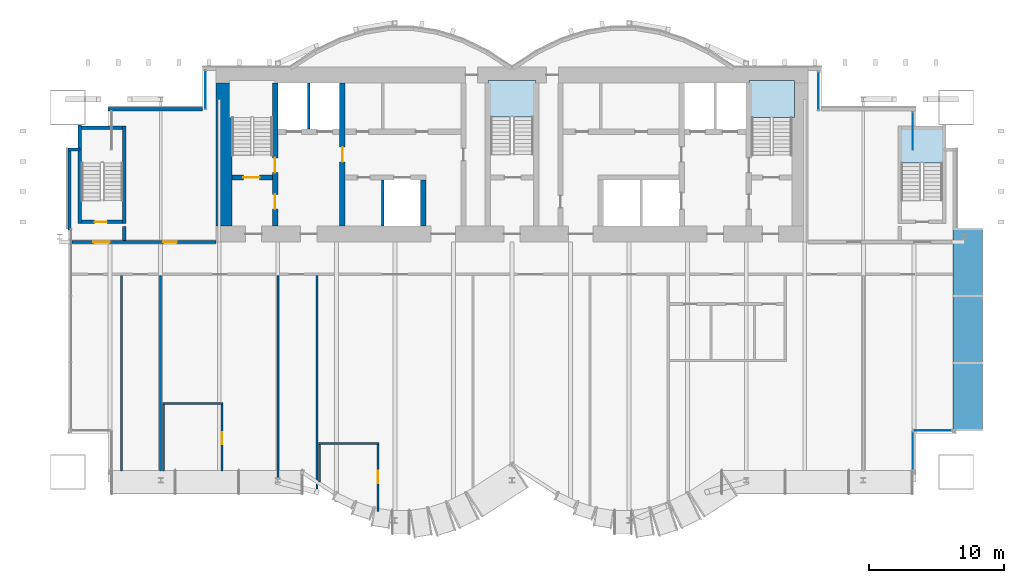
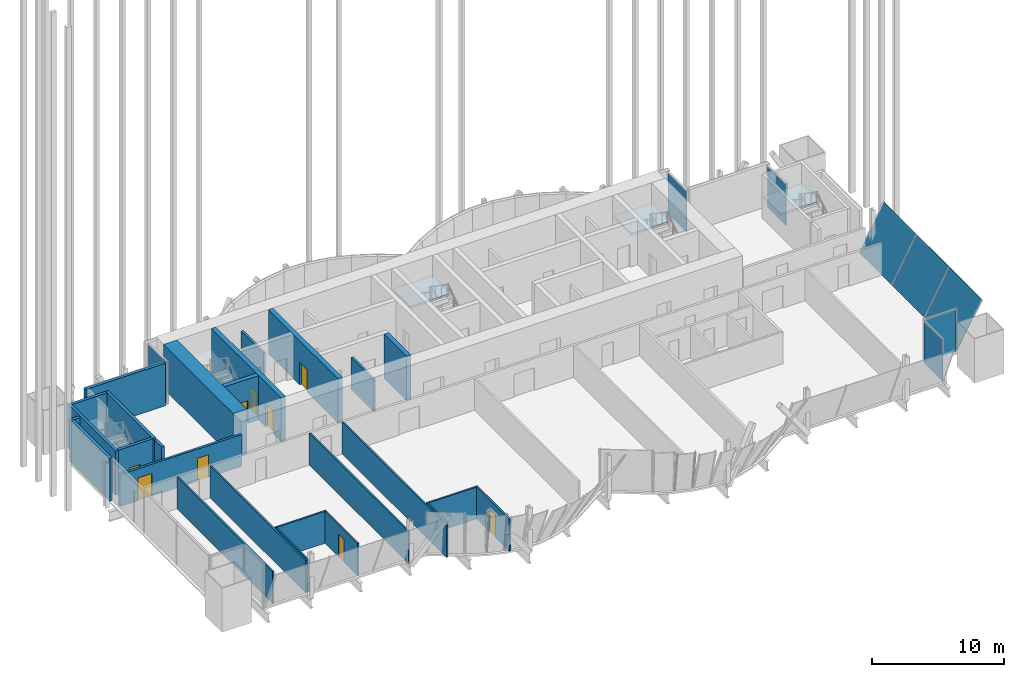
# One storey, part 23 of 29: 26 walls, 9 doors, 8 plates, 3 slabs, 9 openings, 9 elements without a shape of their own.
"""IFC4 building model written with IfcOpenShell, lengths in metres."""

import ifcopenshell
import ifcopenshell.guid

model = None  # the IFC model being written
_history = None  # IfcOwnerHistory: only IFC2X3 demands one
_inside = {}  # id of a spatial element -> (the spatial element, [elements in it])
_under = {}  # id of a project, library or spatial element -> (it, [spatial elements below it])
_declared = {}  # id of a project -> (the project, [libraries it declares])
_typed = {}  # id of a type object -> (the type object, [elements of that type])
_made_of = {}  # id of a material, layer set ... -> (it, [elements and type objects made of it])


def new_model(schema):
    """Start an empty IFC model of exactly this schema.

    Asked for "IFC4X3", IfcOpenShell would pick the latest addendum, in which some entities
    have other attributes; the version numbers below select the first issue.
    IFC2X3 requires an IfcOwnerHistory on every rooted entity: one is made here for all.
    """
    global model, _history
    if schema == "IFC4X3":
        model = ifcopenshell.file(schema_version=(4, 3, 0, 0))
    else:
        model = ifcopenshell.file(schema=schema)
    _inside.clear()
    _under.clear()
    _declared.clear()
    _typed.clear()
    _made_of.clear()
    _history = None
    if model.schema == "IFC2X3":
        org = make("IfcOrganization", Name="unknown")
        user = make(
            "IfcPersonAndOrganization",
            ThePerson=make("IfcPerson", FamilyName="unknown"),
            TheOrganization=org,
        )
        app = make(
            "IfcApplication",
            ApplicationDeveloper=org,
            Version="unknown",
            ApplicationFullName="unknown",
            ApplicationIdentifier="unknown",
        )
        _history = make(
            "IfcOwnerHistory",
            OwningUser=user,
            OwningApplication=app,
            ChangeAction="ADDED",
            CreationDate=0,
        )
    return model


def make(cls, **values):
    """One entity of the class cls with the attributes given. An attribute that is None is left unset."""
    return model.create_entity(
        cls, **{name: value for name, value in values.items() if value is not None}
    )


def rooted(cls, **values):
    """An entity with a GlobalId (a new one), such as an element, a storey or a relation."""
    return make(cls, GlobalId=ifcopenshell.guid.new(), OwnerHistory=_history, **values)


def si_unit(unit_type, name, prefix=None):
    """IfcSIUnit, for example si_unit("LENGTHUNIT", "METRE", prefix="MILLI")."""
    return make("IfcSIUnit", UnitType=unit_type, Prefix=prefix, Name=name)


def assignment(units):
    """IfcUnitAssignment: the units of a project."""
    return None if units is None else make("IfcUnitAssignment", Units=units)


def point(xyz):
    """IfcCartesianPoint."""
    return None if xyz is None else make("IfcCartesianPoint", Coordinates=xyz)


def direction(xyz):
    """IfcDirection."""
    return None if xyz is None else make("IfcDirection", DirectionRatios=xyz)


def frame(location, z_axis=None, x_axis=None):
    """IfcAxis2Placement3D, a coordinate frame: its origin and axes. An axis left out is left unset."""
    return make(
        "IfcAxis2Placement3D",
        Location=point(location),
        Axis=direction(z_axis),
        RefDirection=direction(x_axis),
    )


def frame_2d(location, x_axis=None):
    """IfcAxis2Placement2D, a coordinate frame in the plane: its origin and x axis."""
    return make(
        "IfcAxis2Placement2D", Location=point(location), RefDirection=direction(x_axis)
    )


def origin():
    """The frame at (0, 0, 0) with its axes left unset."""
    return frame((0.0, 0.0, 0.0))


def origin_2d():
    """The frame at (0, 0) in the plane with its x axis left unset."""
    return frame_2d((0.0, 0.0))


def place(relative_to, where):
    """IfcLocalPlacement: puts the frame where relative to a parent placement (None: the world)."""
    return make(
        "IfcLocalPlacement", PlacementRelTo=relative_to, RelativePlacement=where
    )


def context(
    kind, dimensions, precision=None, world=None, true_north=None, identifier=None
):
    """IfcGeometricRepresentationContext, for example the 3D "Model" context."""
    return make(
        "IfcGeometricRepresentationContext",
        ContextIdentifier=identifier,
        ContextType=kind,
        CoordinateSpaceDimension=dimensions,
        Precision=precision,
        WorldCoordinateSystem=world,
        TrueNorth=true_north,
    )


def subcontext(parent, identifier, kind, view, scale=None):
    """IfcGeometricRepresentationSubContext, for example "Body" below "Model"."""
    return make(
        "IfcGeometricRepresentationSubContext",
        ContextIdentifier=identifier,
        ContextType=kind,
        ParentContext=parent,
        TargetScale=scale,
        TargetView=view,
    )


def project(units=None, contexts=None):
    """IfcProject with its units and contexts."""
    return rooted(
        "IfcProject",
        Name="project",
        RepresentationContexts=contexts,
        UnitsInContext=assignment(units),
    )


def spatial(cls, under=None, at=None, **own):
    """A site, building, storey or space (cls), placed at a placement, below another one or the project."""
    s = rooted(cls, ObjectPlacement=at, **own)
    if under is not None:
        _under.setdefault(under.id(), (under, []))[1].append(s)
    return s


def polyline(points):
    """IfcPolyline through the points."""
    return make("IfcPolyline", Points=[point(p) for p in points])


def profile(cls, at=None, kind="AREA", **sizes):
    """A parametric profile (cls). Its sizes go by their IFC names, for example OverallWidth=200.0."""
    return make(cls, ProfileType=kind, Position=at, **sizes)


def rectangle(**sizes):
    """IfcRectangleProfileDef."""
    return profile("IfcRectangleProfileDef", **sizes)


def outline(outer, holes=None, kind="AREA"):
    """IfcArbitraryClosedProfileDef: a profile drawn as a closed curve; with holes, ...WithVoids."""
    if holes is None:
        return make("IfcArbitraryClosedProfileDef", ProfileType=kind, OuterCurve=outer)
    return make(
        "IfcArbitraryProfileDefWithVoids",
        ProfileType=kind,
        OuterCurve=outer,
        InnerCurves=holes,
    )


def extrude(swept, where, along, depth):
    """IfcExtrudedAreaSolid: the profile swept, set in the frame where, extruded along a direction by depth."""
    return make(
        "IfcExtrudedAreaSolid",
        SweptArea=swept,
        Position=where,
        ExtrudedDirection=direction(along),
        Depth=depth,
    )


def shape(context_of_items, identifier, shape_type, items):
    """IfcShapeRepresentation: the items that make up one representation, for example the "Body"."""
    return make(
        "IfcShapeRepresentation",
        ContextOfItems=context_of_items,
        RepresentationIdentifier=identifier,
        RepresentationType=shape_type,
        Items=items,
    )


def material(Name=None, Category=None):
    """IfcMaterial."""
    return make("IfcMaterial", Name=Name, Category=Category)


def layer(
    of_material, thickness, ventilated=None, Name=None, Category=None, Priority=None
):
    """IfcMaterialLayer: one layer of a wall or slab, of a material (None: an air gap)."""
    return make(
        "IfcMaterialLayer",
        Material=of_material,
        LayerThickness=thickness,
        IsVentilated=ventilated,
        Name=Name,
        Category=Category,
        Priority=Priority,
    )


def layer_set(layers, Name=None):
    """IfcMaterialLayerSet."""
    return make("IfcMaterialLayerSet", MaterialLayers=layers, LayerSetName=Name)


def layer_usage(for_layer_set, set_direction, sense, offset, extent=None):
    """IfcMaterialLayerSetUsage: how a layer set lies in its element."""
    return make(
        "IfcMaterialLayerSetUsage",
        ForLayerSet=for_layer_set,
        LayerSetDirection=set_direction,
        DirectionSense=sense,
        OffsetFromReferenceLine=offset,
        ReferenceExtent=extent,
    )


def made_of(thing, what):
    """Note that an element or type object is made of a material, layer set ...; save() writes the relation."""
    if what is not None:
        _made_of.setdefault(what.id(), (what, []))[1].append(thing)
    return thing


def type_object(cls, material=None, **own):
    """A type object (cls), such as IfcWallType, which elements share."""
    return made_of(rooted(cls, **own), material)


def element(
    cls,
    number,
    at=None,
    inside=None,
    cuts=None,
    type_object=None,
    material=None,
    context=None,
    identifier="Body",
    shape_type=None,
    held_by="IfcProductDefinitionShape",
    body=None,
    shapes=None,
    **own,
):
    """One element of the class cls, such as IfcWall. Its Tag is "e" and its number.

    at: its placement. inside: the storey or other place that contains it. cuts: it is an
    opening in that element (IfcRelVoidsElement). A single representation is given by context,
    identifier, shape_type and body (its items); several are given by shapes. held_by: the class
    of the entity that holds the representations. save() writes the other relations.
    """
    e = rooted(cls, Tag="e%d" % number, ObjectPlacement=at, **own)
    if body is not None:
        shapes = [shape(context, identifier, shape_type, body)]
    if shapes is not None:
        e.Representation = make(held_by, Representations=shapes)
    if inside is not None:
        _inside.setdefault(inside.id(), (inside, []))[1].append(e)
    if cuts is not None:
        rooted(
            "IfcRelVoidsElement", RelatingBuildingElement=cuts, RelatedOpeningElement=e
        )
    if type_object is not None:
        _typed.setdefault(type_object.id(), (type_object, []))[1].append(e)
    return made_of(e, material)


def fill(opening, filler):
    """IfcRelFillsElement: the door or window that sits in an opening."""
    return rooted(
        "IfcRelFillsElement",
        RelatingOpeningElement=opening,
        RelatedBuildingElement=filler,
    )


def aggregate(whole, parts):
    """IfcRelAggregates: a whole, such as a stair, and the parts it consists of."""
    return rooted("IfcRelAggregates", RelatingObject=whole, RelatedObjects=parts)


def save(model, path):
    """Write the relations noted so far, then the file.

    IfcRelAggregates (storeys below a building ...), IfcRelContainedInSpatialStructure (elements
    in a storey), IfcRelDefinesByType, IfcRelAssociatesMaterial and IfcRelDeclares: one each for
    every whole, place, type object, material and project.
    """
    for whole, parts in _under.values():
        aggregate(whole, parts)
    for where, things in _inside.values():
        rooted(
            "IfcRelContainedInSpatialStructure",
            RelatedElements=things,
            RelatingStructure=where,
        )
    for kind, things in _typed.values():
        rooted("IfcRelDefinesByType", RelatedObjects=things, RelatingType=kind)
    for what, things in _made_of.values():
        rooted("IfcRelAssociatesMaterial", RelatedObjects=things, RelatingMaterial=what)
    for by, libraries in _declared.values():
        rooted("IfcRelDeclares", RelatingContext=by, RelatedDefinitions=libraries)
    model.write(path)


model = new_model("IFC4")

# Units and contexts
model_context = context("Model", 3, precision=1e-05, world=origin(), true_north=direction((0.0, 1.0)))
body_context = subcontext(model_context, "Body", "Model", "MODEL_VIEW")
ifc_project = project(units=[si_unit("LENGTHUNIT", "METRE"), si_unit("AREAUNIT", "SQUARE_METRE"), si_unit("VOLUMEUNIT", "CUBIC_METRE"), si_unit("PLANEANGLEUNIT", "RADIAN"), si_unit("MASSUNIT", "GRAM", prefix="KILO")], contexts=[model_context])

# Site, building, storey
site_placement = place(None, origin())
site = spatial("IfcSite", under=ifc_project, at=site_placement, CompositionType="ELEMENT")
building_placement = place(site_placement, origin())
building = spatial("IfcBuilding", under=site, at=building_placement, Name="Bicima Exchange Tower", CompositionType="ELEMENT")
storey_placement = place(building_placement, frame((0.0, 0.0, 190.89990234375)))
storey = spatial("IfcBuildingStorey", under=building, at=storey_placement, Name="L42", CompositionType="ELEMENT", Elevation=190.89990234375)

# Curtain wall, plate
ifc_material_1 = material(Name="Anodised bronze aluminium", Category="aluminium")
curtain_wall_type = type_object("IfcCurtainWallType", Name="Front glass wall", PredefinedType="NOTDEFINED", material=ifc_material_1)
curtain_wall_1_placement = place(storey_placement, origin())
curtain_wall_1 = element("IfcCurtainWall", 1, at=curtain_wall_1_placement, inside=storey, type_object=curtain_wall_type, Name="Front glass wall L42 run 2", PredefinedType="NOTDEFINED")
ifc_material_2 = material(Name="Bronze tinted glass", Category="glass")
ifc_layer_1 = layer(ifc_material_2, 0.031982421875)
ifc_layer_set_1 = layer_set([ifc_layer_1], Name="Bronze tinted glass")
plate_type_1 = type_object("IfcPlateType", Name="Front glass wall glass panel 32", PredefinedType="CURTAIN_PANEL", material=ifc_layer_set_1)
plate_1_placement = place(storey_placement, frame((29.77001953125, -4.77001953125, 0.0), z_axis=(0.0, 0.0, 1.0), x_axis=(0.0, 1.0, 0.0)))
plate_1 = element("IfcPlate", 2, at=plate_1_placement, type_object=plate_type_1, Name="Front glass wall panel 1.1", PredefinedType="CURTAIN_PANEL", context=body_context, shape_type="SweptSolid", body=[
    extrude(rectangle(XDim=2.800048828125, YDim=0.031982421875, at=origin_2d()), origin(), (0.0, 0.0, 1.0), 3.81005859375),
])
aggregate(curtain_wall_1, [plate_1])

curtain_wall_2_placement = place(storey_placement, origin())
curtain_wall_2 = element("IfcCurtainWall", 3, at=curtain_wall_2_placement, inside=storey, type_object=curtain_wall_type, Name="Front glass wall L42 run 3", PredefinedType="NOTDEFINED")
plate_2_placement = place(storey_placement, frame((22.77001953125, -1.77001953125, 0.0), z_axis=(0.0, 0.0, 1.0), x_axis=(0.0, 1.0, 0.0)))
plate_2 = element("IfcPlate", 4, at=plate_2_placement, type_object=plate_type_1, Name="Front glass wall panel 1.1", PredefinedType="CURTAIN_PANEL", context=body_context, shape_type="SweptSolid", body=[
    extrude(rectangle(XDim=2.800048828125, YDim=0.031982421875, at=origin_2d()), origin(), (0.0, 0.0, 1.0), 3.81005859375),
])
aggregate(curtain_wall_2, [plate_2])

curtain_wall_3_placement = place(storey_placement, origin())
curtain_wall_3 = element("IfcCurtainWall", 5, at=curtain_wall_3_placement, inside=storey, type_object=curtain_wall_type, Name="Front glass wall L42 run 4", PredefinedType="NOTDEFINED")
plate_3_placement = place(storey_placement, frame((-22.77001953125, -1.68994140625, 0.0), z_axis=(0.0, 0.0, 1.0), x_axis=(0.0, -1.0, 0.0)))
plate_3 = element("IfcPlate", 6, at=plate_3_placement, type_object=plate_type_1, Name="Front glass wall panel 1.1", PredefinedType="CURTAIN_PANEL", context=body_context, shape_type="SweptSolid", body=[
    extrude(rectangle(XDim=2.800048828125, YDim=0.031982421875, at=origin_2d()), origin(), (0.0, 0.0, 1.0), 3.81005859375),
])
aggregate(curtain_wall_3, [plate_3])

curtain_wall_4_placement = place(storey_placement, origin())
curtain_wall_4 = element("IfcCurtainWall", 7, at=curtain_wall_4_placement, inside=storey, type_object=curtain_wall_type, Name="Front glass wall L42 run 21", PredefinedType="NOTDEFINED")
plate_4_placement = place(storey_placement, frame((29.77001953125, -28.52587890625, 0.0), z_axis=(0.0, 0.0, 1.0), x_axis=(0.0, 1.0, 0.0)))
plate_4 = element("IfcPlate", 8, at=plate_4_placement, type_object=plate_type_1, Name="Front glass wall panel 1.1", PredefinedType="CURTAIN_PANEL", context=body_context, shape_type="SweptSolid", body=[
    extrude(rectangle(XDim=2.800048828125, YDim=0.031982421875, at=origin_2d()), origin(), (0.0, 0.0, 1.0), 3.81005859375),
])
aggregate(curtain_wall_4, [plate_4])

curtain_wall_5_placement = place(storey_placement, origin())
curtain_wall_5 = element("IfcCurtainWall", 9, at=curtain_wall_5_placement, inside=storey, type_object=curtain_wall_type, Name="Front glass wall L42 run 22", PredefinedType="NOTDEFINED")
plate_5_placement = place(storey_placement, frame((31.22998046875, -26.986083984375, 0.0), z_axis=(0.0, 0.0, 1.0), x_axis=(1.0, 0.0, 0.0)))
plate_5 = element("IfcPlate", 10, at=plate_5_placement, type_object=plate_type_1, Name="Front glass wall panel 1.1", PredefinedType="CURTAIN_PANEL", context=body_context, shape_type="SweptSolid", body=[
    extrude(rectangle(XDim=2.800048828125, YDim=0.031982421875, at=origin_2d()), origin(), (0.0, 0.0, 1.0), 3.81005859375),
])
aggregate(curtain_wall_5, [plate_5])

# Curtain wall, plates
curtain_wall_6_placement = place(storey_placement, origin())
curtain_wall_6 = element("IfcCurtainWall", 11, at=curtain_wall_6_placement, inside=storey, type_object=curtain_wall_type, Name="Canted glass wall L42 1.1", PredefinedType="NOTDEFINED")
plate_6_placement = place(storey_placement, frame((32.77001953125, -21.95068359375, 0.0), z_axis=(-0.876673101154, 0.0, 0.481086555324), x_axis=(0.0, 1.0, 0.0)))
plate_6 = element("IfcPlate", 12, at=plate_6_placement, type_object=plate_type_1, Name="Canted glass panel 2", PredefinedType="CURTAIN_PANEL", context=body_context, shape_type="SweptSolid", body=[
    extrude(outline(polyline([(0.0, 0.0), (4.915283203125, 0.0), (4.915283203125, -4.5058931399875615), (0.0, -4.5058931399875615), (0.0, 0.0)])), origin(), (0.0, 0.0, -1.0), 0.031982421875),
])
ifc_material_3 = material(Name="Bronze anodised aluminium", Category="aluminium")
ifc_layer_2 = layer(ifc_material_3, 0.031982421875)
ifc_layer_set_2 = layer_set([ifc_layer_2], Name="Bronze anodised aluminium")
plate_type_2 = type_object("IfcPlateType", Name="Front glass wall spandrel panel 32", PredefinedType="CURTAIN_PANEL", material=ifc_layer_set_2)
plate_7_placement = place(storey_placement, frame((32.77001953125, -26.926025390625, 0.0), z_axis=(-0.876673101154, 0.0, 0.481086555324), x_axis=(0.0, 1.0, 0.0)))
plate_7 = element("IfcPlate", 13, at=plate_7_placement, type_object=plate_type_2, Name="Canted glass panel 1", PredefinedType="CURTAIN_PANEL", context=body_context, shape_type="SweptSolid", body=[
    extrude(outline(polyline([(0.0, 0.0), (4.915283203125, 0.0), (4.915283203125, -4.5058931399875615), (0.0, -4.5058931399875615), (0.0, 0.0)])), origin(), (0.0, 0.0, -1.0), 0.031982421875),
])
plate_8_placement = place(storey_placement, frame((32.77001953125, -16.975341796875, 0.0), z_axis=(-0.876673101154, 0.0, 0.481086555324), x_axis=(0.0, 1.0, 0.0)))
plate_8 = element("IfcPlate", 14, at=plate_8_placement, type_object=plate_type_2, Name="Canted glass panel 3", PredefinedType="CURTAIN_PANEL", context=body_context, shape_type="SweptSolid", body=[
    extrude(outline(polyline([(0.0, 0.0), (4.915283203125, 0.0), (4.915283203125, -4.5058931399875615), (0.0, -4.5058931399875615), (0.0, 0.0)])), origin(), (0.0, 0.0, -1.0), 0.031982421875),
])
aggregate(curtain_wall_6, [plate_7, plate_6, plate_8])

# Stair, slab
ifc_material_4 = material(Name="Concrete C50/60", Category="concrete")
stair_type_1 = type_object("IfcStairType", Name="Exit stair 1500", PredefinedType="HALF_TURN_STAIR", material=ifc_material_4)
stair_1_placement = place(storey_placement, origin())
stair_1 = element("IfcStair", 15, at=stair_1_placement, inside=storey, type_object=stair_type_1, Name="L42 Central exit stair", PredefinedType="HALF_TURN_STAIR")
ifc_layer_3 = layer(ifc_material_4, 0.199951171875)
ifc_layer_set_3 = layer_set([ifc_layer_3], Name="Concrete C50/60")
slab_type = type_object("IfcSlabType", Name="Stair landing slab", PredefinedType="LANDING", material=ifc_layer_set_3)
slab_1_placement = place(storey_placement, frame((0.0, 0.0, 1.85009765625)))
slab_1 = element("IfcSlab", 16, at=slab_1_placement, type_object=slab_type, Name="ST-C landing 1", PredefinedType="LANDING", context=body_context, shape_type="SweptSolid", body=[
    extrude(outline(polyline([(1.77490234375, -3.699951171875), (1.77490234375, -1.0), (-1.77490234375, -1.0), (-1.77490234375, -3.699951171875), (1.77490234375, -3.699951171875)])), origin(), (0.0, 0.0, 1.0), 0.199951171875),
])
aggregate(stair_1, [slab_1])

stair_type_2 = type_object("IfcStairType", Name="Exit stair", PredefinedType="HALF_TURN_STAIR", material=ifc_material_4)
stair_2_placement = place(storey_placement, origin())
stair_2 = element("IfcStair", 17, at=stair_2_placement, inside=storey, type_object=stair_type_2, Name="L42 East exit stair", PredefinedType="HALF_TURN_STAIR")
slab_2_placement = place(storey_placement, frame((0.0, 0.0, 1.85009765625)))
slab_2 = element("IfcSlab", 18, at=slab_2_placement, type_object=slab_type, Name="ST-E landing 1", PredefinedType="LANDING", context=body_context, shape_type="SweptSolid", body=[
    extrude(outline(polyline([(21.0, -3.75), (21.0, -1.0), (17.60009765625, -1.0), (17.60009765625, -3.75), (21.0, -3.75)])), origin(), (0.0, 0.0, 1.0), 0.199951171875),
])
aggregate(stair_2, [slab_2])

stair_3_placement = place(storey_placement, origin())
stair_3 = element("IfcStair", 19, at=stair_3_placement, inside=storey, type_object=stair_type_2, Name="L42 East end exit stair", PredefinedType="HALF_TURN_STAIR")
slab_3_placement = place(storey_placement, frame((0.0, 0.0, 1.85009765625)))
slab_3 = element("IfcSlab", 20, at=slab_3_placement, type_object=slab_type, Name="ST-EE landing 1", PredefinedType="LANDING", context=body_context, shape_type="SweptSolid", body=[
    extrude(outline(polyline([(32.175048828125, -7.125), (32.175048828125, -4.425048828125), (28.72509765625, -4.425048828125), (28.72509765625, -7.125), (32.175048828125, -7.125)])), origin(), (0.0, 0.0, 1.0), 0.199951171875),
])
aggregate(stair_3, [slab_3])

# Walls
ifc_material_5 = material(Name="Gypsum board partition")
ifc_layer_4 = layer(ifc_material_5, 0.199951171875)
ifc_layer_set_4 = layer_set([ifc_layer_4], Name="Gypsum board partition")
wall_type_1 = type_object("IfcWallType", Name="Fire-rated gypsum partition 200 EI120", PredefinedType="PARTITIONING", material=ifc_layer_set_4)
for number, where, z_axis, x_axis, name in (
    (21, (-15.10009765625, -4.60009765625, 0.0), (0.0, 0.0, 1.0), (0.0, 1.0, 0.0), "partition wall 9"),
    (22, (-9.60009765625, -11.800048828125, 0.0), (0.0, 0.0, 1.0), (0.0, 1.0, 0.0), "partition wall 11"),
):
    element("IfcWall", number, at=place(storey_placement, frame(where, z_axis=z_axis, x_axis=x_axis)), inside=storey, type_object=wall_type_1, Name=name, PredefinedType="PARTITIONING", context=body_context, shape_type="SweptSolid", body=[
        extrude(rectangle(XDim=3.400146484375, YDim=0.199951171875, at=frame_2d((1.7001953125, 0.0))), origin(), (0.0, 0.0, 1.0), 2.959716796875),
    ])

# Wall, openings, doors
ifc_layer_5 = layer(ifc_material_5, 0.199951171875)
ifc_layer_set_5 = layer_set([ifc_layer_5], Name="Gypsum board partition")
wall_type_2 = type_object("IfcWallType", Name="Fire-rated gypsum partition 200 EI60", PredefinedType="PARTITIONING", material=ifc_layer_set_5)
wall_1_placement = place(storey_placement, frame((-32.699951171875, -13.0, 0.0), z_axis=(0.0, 0.0, 1.0), x_axis=(1.0, 0.0, 0.0)))
wall_1 = element("IfcWall", 23, at=wall_1_placement, inside=storey, type_object=wall_type_2, Name="partition wall 6", PredefinedType="PARTITIONING", context=body_context, shape_type="SweptSolid", body=[
    extrude(rectangle(XDim=10.699951171875, YDim=0.199951171875, at=frame_2d((5.35009765625, 0.0))), origin(), (0.0, 0.0, 1.0), 2.959716796875),
])
opening_1_placement = place(wall_1_placement, frame((1.60009765625, 0.0, 0.0)))
opening_1 = element("IfcOpeningElement", 24, at=opening_1_placement, cuts=wall_1, Name="Opening L42-001", PredefinedType="OPENING", context=body_context, shape_type="SweptSolid", body=[
    extrude(rectangle(XDim=1.199951171875, YDim=2.10009765625, at=frame_2d((0.60009765625, 1.050048828125))), frame((0.0, 0.11181640625, 0.0), z_axis=(0.0, -1.0, 0.0), x_axis=(1.0, 0.0, 0.0)), (0.0, 0.0, 1.0), 0.223876953125),
])
opening_2_placement = place(wall_1_placement, frame((6.800048828125, 0.0, 0.0)))
opening_2 = element("IfcOpeningElement", 25, at=opening_2_placement, cuts=wall_1, Name="Opening L42-005", PredefinedType="OPENING", context=body_context, shape_type="SweptSolid", body=[
    extrude(rectangle(XDim=1.0, YDim=2.10009765625, at=frame_2d((0.5, 1.050048828125))), frame((0.0, 0.11181640625, 0.0), z_axis=(0.0, -1.0, 0.0), x_axis=(1.0, 0.0, 0.0)), (0.0, 0.0, 1.0), 0.223876953125),
])
ifc_material_6 = material(Name="Steel fire door leaf", Category="steel")
door_type_1 = type_object("IfcDoorType", Name="Door 1000 swing FD30S", OperationType="SINGLE_SWING_LEFT", PredefinedType="DOOR", material=ifc_material_6)
door_1_placement = place(opening_2_placement, origin())
door_1 = element("IfcDoor", 26, at=door_1_placement, inside=storey, type_object=door_type_1, Name="Door", OperationType="SINGLE_SWING_LEFT", OverallHeight=2.10009765625, OverallWidth=1.0, PredefinedType="DOOR", context=body_context, shape_type="SweptSolid", body=[
    extrude(rectangle(XDim=1.0, YDim=2.10009765625, at=frame_2d((0.5, 1.050048828125))), frame((0.0, 0.02490234375, 0.0), z_axis=(0.0, -1.0, 0.0), x_axis=(1.0, 0.0, 0.0)), (0.0, 0.0, 1.0), 0.050048828125),
])
fill(opening_2, door_1)
door_type_2 = type_object("IfcDoorType", Name="Door 1200 swing FD30S", OperationType="SINGLE_SWING_LEFT", PredefinedType="DOOR", material=ifc_material_6)
door_2_placement = place(opening_1_placement, origin())
door_2 = element("IfcDoor", 27, at=door_2_placement, inside=storey, type_object=door_type_2, Name="Door", OperationType="SINGLE_SWING_LEFT", OverallHeight=2.10009765625, OverallWidth=1.199951171875, PredefinedType="DOOR", context=body_context, shape_type="SweptSolid", body=[
    extrude(rectangle(XDim=1.199951171875, YDim=2.10009765625, at=frame_2d((0.60009765625, 1.050048828125))), frame((0.0, 0.02490234375, 0.0), z_axis=(0.0, -1.0, 0.0), x_axis=(1.0, 0.0, 0.0)), (0.0, 0.0, 1.0), 0.050048828125),
])
fill(opening_1, door_2)

# Walls
ifc_layer_6 = layer(ifc_material_5, 0.14990234375)
ifc_layer_set_6 = layer_set([ifc_layer_6], Name="Gypsum board partition")
wall_type_3 = type_object("IfcWallType", Name="Gypsum partition 150", PredefinedType="PARTITIONING", material=ifc_layer_set_6)
for number, where, z_axis, x_axis, name in (
    (28, (-14.375, -27.969970703125, 0.0), (0.0, 0.0, 1.0), (1.0, 0.0, 0.0), "partition wall 1"),
    (29, (-25.97509765625, -25.010009765625, 0.0), (0.0, 0.0, 1.0), (1.0, 0.0, 0.0), "partition wall 2"),
):
    element("IfcWall", number, at=place(storey_placement, frame(where, z_axis=z_axis, x_axis=x_axis)), inside=storey, type_object=wall_type_3, Name=name, PredefinedType="PARTITIONING", context=body_context, shape_type="SweptSolid", body=[
        extrude(rectangle(XDim=4.5, YDim=0.14990234375, at=frame_2d((2.25, 0.0))), origin(), (0.0, 0.0, 1.0), 2.959716796875),
    ])
for number, where, z_axis, x_axis, name in (
    (30, (-29.0, -30.010009765625, 0.0), (0.0, 0.0, 1.0), (0.0, 1.0, 0.0), "partition wall 16"),
    (31, (-26.10009765625, -30.010009765625, 0.0), (0.0, 0.0, 1.0), (0.0, 1.0, 0.0), "partition wall 18"),
):
    element("IfcWall", number, at=place(storey_placement, frame(where, z_axis=z_axis, x_axis=x_axis)), inside=storey, type_object=wall_type_3, Name=name, PredefinedType="PARTITIONING", context=body_context, shape_type="SweptSolid", body=[
        extrude(rectangle(XDim=14.510009765625, YDim=0.14990234375, at=frame_2d((7.2548828125, 0.0))), origin(), (0.0, 0.0, 1.0), 2.959716796875),
    ])
wall_2_placement = place(storey_placement, frame((-25.89990234375, -30.010009765625, 0.0), z_axis=(0.0, 0.0, 1.0), x_axis=(0.0, 1.0, 0.0)))
element("IfcWall", 32, at=wall_2_placement, inside=storey, type_object=wall_type_3, Name="partition wall 19", PredefinedType="PARTITIONING", context=body_context, shape_type="SweptSolid", body=[
    extrude(rectangle(XDim=4.925048828125, YDim=0.14990234375, at=frame_2d((2.46240234375, 0.0))), origin(), (0.0, 0.0, 1.0), 2.959716796875),
])

# Wall, opening, door
wall_3_placement = place(storey_placement, frame((-21.550048828125, -30.010009765625, 0.0), z_axis=(0.0, 0.0, 1.0), x_axis=(0.0, 1.0, 0.0)))
wall_3 = element("IfcWall", 33, at=wall_3_placement, inside=storey, type_object=wall_type_3, Name="partition wall 20", PredefinedType="PARTITIONING", context=body_context, shape_type="SweptSolid", body=[
    extrude(rectangle(XDim=4.925048828125, YDim=0.14990234375, at=frame_2d((2.46240234375, 0.0))), origin(), (0.0, 0.0, 1.0), 2.959716796875),
])
opening_3_placement = place(wall_3_placement, frame((2.0, 0.0, 0.0)))
opening_3 = element("IfcOpeningElement", 34, at=opening_3_placement, cuts=wall_3, Name="Opening L42-020", PredefinedType="OPENING", context=body_context, shape_type="SweptSolid", body=[
    extrude(rectangle(XDim=0.89990234375, YDim=2.10009765625, at=frame_2d((0.449951171875, 1.050048828125))), frame((0.0, 0.0869140625, 0.0), z_axis=(0.0, -1.0, 0.0), x_axis=(1.0, 0.0, 0.0)), (0.0, 0.0, 1.0), 0.173828125),
])
ifc_material_7 = material(Name="Timber door leaf", Category="wood")
door_type_3 = type_object("IfcDoorType", Name="Door 900 swing", OperationType="SINGLE_SWING_LEFT", PredefinedType="DOOR", material=ifc_material_7)
door_3_placement = place(opening_3_placement, origin())
door_3 = element("IfcDoor", 35, at=door_3_placement, inside=storey, type_object=door_type_3, Name="Door", OperationType="SINGLE_SWING_LEFT", OverallHeight=2.10009765625, OverallWidth=0.89990234375, PredefinedType="DOOR", context=body_context, shape_type="SweptSolid", body=[
    extrude(rectangle(XDim=0.89990234375, YDim=2.10009765625, at=frame_2d((0.449951171875, 1.050048828125))), frame((0.0, 0.02490234375, 0.0), z_axis=(0.0, -1.0, 0.0), x_axis=(1.0, 0.0, 0.0)), (0.0, 0.0, 1.0), 0.050048828125),
])
fill(opening_3, door_3)

# Walls
wall_4_placement = place(storey_placement, frame((-17.39990234375, -30.580078125, 0.0), z_axis=(0.0, 0.0, 1.0), x_axis=(0.0, 1.0, 0.0)))
element("IfcWall", 36, at=wall_4_placement, inside=storey, type_object=wall_type_3, Name="partition wall 21", PredefinedType="PARTITIONING", context=body_context, shape_type="SweptSolid", body=[
    extrude(rectangle(XDim=15.080078125, YDim=0.14990234375, at=frame_2d((7.5400390625, 0.0))), origin(), (0.0, 0.0, 1.0), 2.959716796875),
])
wall_5_placement = place(storey_placement, frame((-14.5, -31.3330078125, 0.0), z_axis=(0.0, 0.0, 1.0), x_axis=(0.0, 1.0, 0.0)))
element("IfcWall", 37, at=wall_5_placement, inside=storey, type_object=wall_type_3, Name="partition wall 22", PredefinedType="PARTITIONING", context=body_context, shape_type="SweptSolid", body=[
    extrude(rectangle(XDim=15.8330078125, YDim=0.14990234375, at=frame_2d((7.91650390625, 0.0))), origin(), (0.0, 0.0, 1.0), 2.959716796875),
])
wall_6_placement = place(storey_placement, frame((-14.300048828125, -30.820068359375, 0.0), z_axis=(0.0, 0.0, 1.0), x_axis=(0.0, 1.0, 0.0)))
element("IfcWall", 38, at=wall_6_placement, inside=storey, type_object=wall_type_3, Name="partition wall 23", PredefinedType="PARTITIONING", context=body_context, shape_type="SweptSolid", body=[
    extrude(rectangle(XDim=2.775146484375, YDim=0.14990234375, at=frame_2d((1.3876953125, 0.0))), origin(), (0.0, 0.0, 1.0), 2.959716796875),
])

# Wall, opening, door
wall_7_placement = place(storey_placement, frame((-9.949951171875, -33.0263671875, 0.0), z_axis=(0.0, 0.0, 1.0), x_axis=(0.0, 1.0, 0.0)))
wall_7 = element("IfcWall", 39, at=wall_7_placement, inside=storey, type_object=wall_type_3, Name="partition wall 24", PredefinedType="PARTITIONING", context=body_context, shape_type="SweptSolid", body=[
    extrude(rectangle(XDim=4.9814453125, YDim=0.14990234375, at=frame_2d((2.49072265625, 0.0))), origin(), (0.0, 0.0, 1.0), 2.959716796875),
])
opening_4_placement = place(wall_7_placement, frame((2.1259765625, 0.0, 0.0)))
opening_4 = element("IfcOpeningElement", 40, at=opening_4_placement, cuts=wall_7, Name="Opening L42-021", PredefinedType="OPENING", context=body_context, shape_type="SweptSolid", body=[
    extrude(rectangle(XDim=0.89990234375, YDim=2.10009765625, at=frame_2d((0.449951171875, 1.050048828125))), frame((0.0, 0.0869140625, 0.0), z_axis=(0.0, -1.0, 0.0), x_axis=(1.0, 0.0, 0.0)), (0.0, 0.0, 1.0), 0.173828125),
])
door_4_placement = place(opening_4_placement, origin())
door_4 = element("IfcDoor", 41, at=door_4_placement, inside=storey, type_object=door_type_3, Name="Door", OperationType="SINGLE_SWING_RIGHT", OverallHeight=2.10009765625, OverallWidth=0.89990234375, PredefinedType="DOOR", context=body_context, shape_type="SweptSolid", body=[
    extrude(rectangle(XDim=0.89990234375, YDim=2.10009765625, at=frame_2d((0.449951171875, 1.050048828125))), frame((0.0, 0.02490234375, 0.0), z_axis=(0.0, -1.0, 0.0), x_axis=(1.0, 0.0, 0.0)), (0.0, 0.0, 1.0), 0.050048828125),
])
fill(opening_4, door_4)

# Walls
ifc_layer_7 = layer(ifc_material_4, 1.199951171875)
ifc_layer_set_7 = layer_set([ifc_layer_7], Name="Concrete C50/60")
wall_type_4 = type_object("IfcWallType", Name="RC core wall 1200 C50/60", PredefinedType="SHEAR", material=ifc_layer_set_7)
wall_8_placement = place(storey_placement, frame((-21.39990234375, -11.800048828125, 0.0), z_axis=(0.0, 0.0, 1.0), x_axis=(0.0, 1.0, 0.0)))
element("IfcWall", 42, at=wall_8_placement, inside=storey, type_object=wall_type_4, Name="Core wall west", PredefinedType="SHEAR", context=body_context, shape_type="SweptSolid", body=[
    extrude(rectangle(XDim=10.60009765625, YDim=1.199951171875, at=frame_2d((5.300048828125, 0.0))), origin(), (0.0, 0.0, 1.0), 4.10009765625),
])
ifc_layer_8 = layer(ifc_material_4, 0.25)
ifc_layer_set_8 = layer_set([ifc_layer_8], Name="Concrete C50/60")
wall_type_5 = type_object("IfcWallType", Name="RC core wall 250 C50/60", PredefinedType="SHEAR", material=ifc_layer_set_8)
wall_9_placement = place(storey_placement, frame((-28.800048828125, -12.89990234375, 0.0), z_axis=(0.0, 0.0, 1.0), x_axis=(0.0, 1.0, 0.0)))
element("IfcWall", 43, at=wall_9_placement, inside=storey, type_object=wall_type_5, Name="stair wall 17", PredefinedType="SHEAR", context=body_context, shape_type="SweptSolid", body=[
    extrude(rectangle(XDim=1.0498046875, YDim=0.25, at=frame_2d((0.52490234375, 0.0))), origin(), (0.0, 0.0, 1.0), 4.10009765625),
])

# Wall, opening, door
ifc_layer_9 = layer(ifc_material_4, 0.39990234375)
ifc_layer_set_9 = layer_set([ifc_layer_9], Name="Concrete C50/60")
wall_type_6 = type_object("IfcWallType", Name="RC core wall 400 C50/60", PredefinedType="SHEAR", material=ifc_layer_set_9)
wall_10_placement = place(storey_placement, frame((-20.800048828125, -8.199951171875, 0.0), z_axis=(0.0, 0.0, 1.0), x_axis=(1.0, 0.0, 0.0)))
wall_10 = element("IfcWall", 44, at=wall_10_placement, inside=storey, type_object=wall_type_6, Name="stair wall 1", PredefinedType="SHEAR", context=body_context, shape_type="SweptSolid", body=[
    extrude(rectangle(XDim=3.0, YDim=0.39990234375, at=frame_2d((1.5, 0.0))), origin(), (0.0, 0.0, 1.0), 4.10009765625),
])
opening_5_placement = place(wall_10_placement, frame((0.85009765625, 0.0, 0.0)))
opening_5 = element("IfcOpeningElement", 45, at=opening_5_placement, cuts=wall_10, Name="Opening L42-C01", PredefinedType="OPENING", context=body_context, shape_type="SweptSolid", body=[
    extrude(rectangle(XDim=1.199951171875, YDim=2.10009765625, at=frame_2d((0.60009765625, 1.050048828125))), frame((0.0, 0.2119140625, 0.0), z_axis=(0.0, -1.0, 0.0), x_axis=(1.0, 0.0, 0.0)), (0.0, 0.0, 1.0), 0.423828125),
])
door_type_4 = type_object("IfcDoorType", Name="Door 1200 swing FD60S", OperationType="SINGLE_SWING_LEFT", PredefinedType="DOOR", material=ifc_material_6)
door_5_placement = place(opening_5_placement, origin())
door_5 = element("IfcDoor", 46, at=door_5_placement, inside=storey, type_object=door_type_4, Name="Core door", OperationType="SINGLE_SWING_LEFT", OverallHeight=2.10009765625, OverallWidth=1.199951171875, PredefinedType="DOOR", context=body_context, shape_type="SweptSolid", body=[
    extrude(rectangle(XDim=1.199951171875, YDim=2.10009765625, at=frame_2d((0.60009765625, 1.050048828125))), frame((0.0, 0.02490234375, 0.0), z_axis=(0.0, -1.0, 0.0), x_axis=(1.0, 0.0, 0.0)), (0.0, 0.0, 1.0), 0.050048828125),
])
fill(opening_5, door_5)

# Wall, openings, doors
wall_11_placement = place(storey_placement, frame((-17.60009765625, -11.800048828125, 0.0), z_axis=(0.0, 0.0, 1.0), x_axis=(0.0, 1.0, 0.0)))
wall_11 = element("IfcWall", 47, at=wall_11_placement, inside=storey, type_object=wall_type_6, Name="stair wall 8", PredefinedType="SHEAR", context=body_context, shape_type="SweptSolid", body=[
    extrude(rectangle(XDim=10.60009765625, YDim=0.39990234375, at=frame_2d((5.300048828125, 0.0))), origin(), (0.0, 0.0, 1.0), 4.10009765625),
])
opening_6_placement = place(wall_11_placement, frame((1.25, 0.0, 0.0)))
opening_6 = element("IfcOpeningElement", 48, at=opening_6_placement, cuts=wall_11, Name="Opening L42-C02", PredefinedType="OPENING", context=body_context, shape_type="SweptSolid", body=[
    extrude(rectangle(XDim=1.10009765625, YDim=2.10009765625, at=frame_2d((0.550048828125, 1.050048828125))), frame((0.0, 0.2119140625, 0.0), z_axis=(0.0, -1.0, 0.0), x_axis=(1.0, 0.0, 0.0)), (0.0, 0.0, 1.0), 0.423828125),
])
opening_7_placement = place(wall_11_placement, frame((3.949951171875, 0.0, 0.0)))
opening_7 = element("IfcOpeningElement", 49, at=opening_7_placement, cuts=wall_11, Name="Opening L42-C06", PredefinedType="OPENING", context=body_context, shape_type="SweptSolid", body=[
    extrude(rectangle(XDim=1.10009765625, YDim=2.10009765625, at=frame_2d((0.550048828125, 1.050048828125))), frame((0.0, 0.2119140625, 0.0), z_axis=(0.0, -1.0, 0.0), x_axis=(1.0, 0.0, 0.0)), (0.0, 0.0, 1.0), 0.423828125),
])
door_type_5 = type_object("IfcDoorType", Name="Door 1100 swing FD60S", OperationType="SINGLE_SWING_LEFT", PredefinedType="DOOR", material=ifc_material_6)
door_6_placement = place(opening_6_placement, frame((1.10009765625, 0.0, 0.0), z_axis=(0.0, 0.0, 1.0), x_axis=(-1.0, 0.0, 0.0)))
door_6 = element("IfcDoor", 50, at=door_6_placement, inside=storey, type_object=door_type_5, Name="Core door", OperationType="SINGLE_SWING_LEFT", OverallHeight=2.10009765625, OverallWidth=1.10009765625, PredefinedType="DOOR", context=body_context, shape_type="SweptSolid", body=[
    extrude(rectangle(XDim=1.10009765625, YDim=2.10009765625, at=frame_2d((0.550048828125, 1.050048828125))), frame((0.0, 0.02490234375, 0.0), z_axis=(0.0, -1.0, 0.0), x_axis=(1.0, 0.0, 0.0)), (0.0, 0.0, 1.0), 0.050048828125),
])
fill(opening_6, door_6)
door_7_placement = place(opening_7_placement, frame((1.10009765625, 0.0, 0.0), z_axis=(0.0, 0.0, 1.0), x_axis=(-1.0, 0.0, 0.0)))
door_7 = element("IfcDoor", 51, at=door_7_placement, inside=storey, type_object=door_type_5, Name="Core door", OperationType="SINGLE_SWING_LEFT", OverallHeight=2.10009765625, OverallWidth=1.10009765625, PredefinedType="DOOR", context=body_context, shape_type="SweptSolid", body=[
    extrude(rectangle(XDim=1.10009765625, YDim=2.10009765625, at=frame_2d((0.550048828125, 1.050048828125))), frame((0.0, 0.02490234375, 0.0), z_axis=(0.0, -1.0, 0.0), x_axis=(1.0, 0.0, 0.0)), (0.0, 0.0, 1.0), 0.050048828125),
])
fill(opening_7, door_7)

# Wall, opening, door
wall_12_placement = place(storey_placement, frame((-12.60009765625, -11.800048828125, 0.0), z_axis=(0.0, 0.0, 1.0), x_axis=(0.0, 1.0, 0.0)))
wall_12 = element("IfcWall", 52, at=wall_12_placement, inside=storey, type_object=wall_type_6, Name="shear wall 10", PredefinedType="SHEAR", context=body_context, shape_type="SweptSolid", body=[
    extrude(rectangle(XDim=10.60009765625, YDim=0.39990234375, at=frame_2d((5.300048828125, 0.0))), origin(), (0.0, 0.0, 1.0), 4.10009765625),
])
opening_8_placement = place(wall_12_placement, frame((4.75, 0.0, 0.0)))
opening_8 = element("IfcOpeningElement", 53, at=opening_8_placement, cuts=wall_12, Name="Opening L42-C07", PredefinedType="OPENING", context=body_context, shape_type="SweptSolid", body=[
    extrude(rectangle(XDim=1.10009765625, YDim=2.10009765625, at=frame_2d((0.550048828125, 1.050048828125))), frame((0.0, 0.2119140625, 0.0), z_axis=(0.0, -1.0, 0.0), x_axis=(1.0, 0.0, 0.0)), (0.0, 0.0, 1.0), 0.423828125),
])
door_8_placement = place(opening_8_placement, origin())
door_8 = element("IfcDoor", 54, at=door_8_placement, inside=storey, type_object=door_type_5, Name="Core door", OperationType="SINGLE_SWING_LEFT", OverallHeight=2.10009765625, OverallWidth=1.10009765625, PredefinedType="DOOR", context=body_context, shape_type="SweptSolid", body=[
    extrude(rectangle(XDim=1.10009765625, YDim=2.10009765625, at=frame_2d((0.550048828125, 1.050048828125))), frame((0.0, 0.02490234375, 0.0), z_axis=(0.0, -1.0, 0.0), x_axis=(1.0, 0.0, 0.0)), (0.0, 0.0, 1.0), 0.050048828125),
])
fill(opening_8, door_8)

# Walls
wall_13_placement = place(storey_placement, frame((-6.60009765625, -11.800048828125, 0.0), z_axis=(0.0, 0.0, 1.0), x_axis=(0.0, 1.0, 0.0)))
element("IfcWall", 55, at=wall_13_placement, inside=storey, type_object=wall_type_6, Name="shear wall 13", PredefinedType="SHEAR", context=body_context, shape_type="SweptSolid", body=[
    extrude(rectangle(XDim=3.400146484375, YDim=0.39990234375, at=frame_2d((1.7001953125, 0.0))), origin(), (0.0, 0.0, 1.0), 4.10009765625),
])
ifc_layer_10 = layer(ifc_material_4, 0.25)
ifc_layer_set_10 = layer_set([ifc_layer_10], Name="Concrete C50/60")
wall_type_7 = type_object("IfcWallType", Name="RC stair enclosure wall 250 C50/60", PredefinedType="SHEAR", material=ifc_layer_set_10)
wall_14_placement = place(storey_placement, frame((-32.10009765625, -11.625, 0.0), z_axis=(0.0, 0.0, 1.0), x_axis=(0.0, 1.0, 0.0)))
element("IfcWall", 56, at=wall_14_placement, inside=storey, type_object=wall_type_7, Name="West end exit stair wall W", PredefinedType="SHEAR", context=body_context, shape_type="SweptSolid", body=[
    extrude(rectangle(XDim=7.324951171875, YDim=0.25, at=frame_2d((3.66259765625, 0.0))), origin(), (0.0, 0.0, 1.0), 4.10009765625),
])
wall_15_placement = place(storey_placement, frame((-28.800048828125, -11.625, 0.0), z_axis=(0.0, 0.0, 1.0), x_axis=(0.0, 1.0, 0.0)))
element("IfcWall", 57, at=wall_15_placement, inside=storey, type_object=wall_type_7, Name="West end exit stair wall E", PredefinedType="SHEAR", context=body_context, shape_type="SweptSolid", body=[
    extrude(rectangle(XDim=7.25, YDim=0.25, at=frame_2d((3.625, 0.0))), origin(), (0.0, 0.0, 1.0), 4.10009765625),
])

# Wall, opening, door
wall_16_placement = place(storey_placement, frame((-31.97509765625, -11.5, 0.0), z_axis=(0.0, 0.0, 1.0), x_axis=(1.0, 0.0, 0.0)))
wall_16 = element("IfcWall", 58, at=wall_16_placement, inside=storey, type_object=wall_type_7, Name="West end exit stair wall S", PredefinedType="SHEAR", context=body_context, shape_type="SweptSolid", body=[
    extrude(rectangle(XDim=3.050048828125, YDim=0.25, at=frame_2d((1.52490234375, 0.0))), origin(), (0.0, 0.0, 1.0), 4.10009765625),
])
opening_9_placement = place(wall_16_placement, frame((0.97509765625, 0.0, 0.0)))
opening_9 = element("IfcOpeningElement", 59, at=opening_9_placement, cuts=wall_16, Name="Opening L42-002", PredefinedType="OPENING", context=body_context, shape_type="SweptSolid", body=[
    extrude(rectangle(XDim=0.89990234375, YDim=2.10009765625, at=frame_2d((0.449951171875, 1.050048828125))), frame((0.0, 0.136962890625, 0.0), z_axis=(0.0, -1.0, 0.0), x_axis=(1.0, 0.0, 0.0)), (0.0, 0.0, 1.0), 0.27392578125),
])
door_type_6 = type_object("IfcDoorType", Name="Door 900 swing FD60S", OperationType="SINGLE_SWING_LEFT", PredefinedType="DOOR", material=ifc_material_6)
door_9_placement = place(opening_9_placement, origin())
door_9 = element("IfcDoor", 60, at=door_9_placement, inside=storey, type_object=door_type_6, Name="Door", OperationType="SINGLE_SWING_LEFT", OverallHeight=2.10009765625, OverallWidth=0.89990234375, PredefinedType="DOOR", context=body_context, shape_type="SweptSolid", body=[
    extrude(rectangle(XDim=0.89990234375, YDim=2.10009765625, at=frame_2d((0.449951171875, 1.050048828125))), frame((0.0, 0.02490234375, 0.0), z_axis=(0.0, -1.0, 0.0), x_axis=(1.0, 0.0, 0.0)), (0.0, 0.0, 1.0), 0.050048828125),
])
fill(opening_9, door_9)

# Walls
wall_17_placement = place(storey_placement, frame((-31.97509765625, -4.5, 0.0), z_axis=(0.0, 0.0, 1.0), x_axis=(1.0, 0.0, 0.0)))
element("IfcWall", 61, at=wall_17_placement, inside=storey, type_object=wall_type_7, Name="West end exit stair wall N", PredefinedType="SHEAR", context=body_context, shape_type="SweptSolid", body=[
    extrude(rectangle(XDim=3.050048828125, YDim=0.25, at=frame_2d((1.52490234375, 0.0))), origin(), (0.0, 0.0, 1.0), 4.10009765625),
])
ifc_material_8 = material(Name="Concrete C40/50", Category="concrete")
ifc_layer_11 = layer(ifc_material_8, 0.25)
ifc_layer_set_11 = layer_set([ifc_layer_11], Name="Concrete C40/50")
ifc_layer_usage = layer_usage(ifc_layer_set_11, "AXIS2", "POSITIVE", -0.125)
wall_type_8 = type_object("IfcWallType", Name="Rear backup wall 250", PredefinedType="STANDARD", material=ifc_layer_set_11)
wall_18_placement = place(storey_placement, frame((-23.0, -3.125, 0.0), z_axis=(0.0, 0.0, 1.0), x_axis=(-1.0, 0.0, 0.0)))
element("IfcWall", 62, at=wall_18_placement, inside=storey, type_object=wall_type_8, material=ifc_layer_usage, Name="Rear backup wall L42 28", PredefinedType="STANDARD", context=body_context, shape_type="SweptSolid", body=[
    extrude(rectangle(XDim=7.0, YDim=0.25, at=frame_2d((3.5, 0.0))), origin(), (0.0, 0.0, 1.0), 3.9501953125),
])
wall_19_placement = place(storey_placement, frame((-32.110107421875, -6.125, 0.0), z_axis=(0.0, 0.0, 1.0), x_axis=(-1.0, 0.0, 0.0)))
element("IfcWall", 63, at=wall_19_placement, inside=storey, type_object=wall_type_8, material=ifc_layer_usage, Name="Rear backup wall L42 30", PredefinedType="STANDARD", context=body_context, shape_type="SweptSolid", body=[
    extrude(rectangle(XDim=0.889892578125, YDim=0.25, at=frame_2d((0.44482421875, 0.0))), origin(), (0.0, 0.0, 1.0), 3.9501953125),
])
wall_20_placement = place(storey_placement, frame((-32.875, -6.0, 0.0), z_axis=(0.0, 0.0, 1.0), x_axis=(0.0, -1.0, 0.0)))
element("IfcWall", 64, at=wall_20_placement, inside=storey, type_object=wall_type_8, material=ifc_layer_usage, Name="Rear backup wall L42 31", PredefinedType="STANDARD", context=body_context, shape_type="SweptSolid", body=[
    extrude(rectangle(XDim=6.090087890625, YDim=0.25, at=frame_2d((3.044921875, 0.0))), origin(), (0.0, 0.0, 1.0), 3.9501953125),
])

save(model, "model.ifc")
